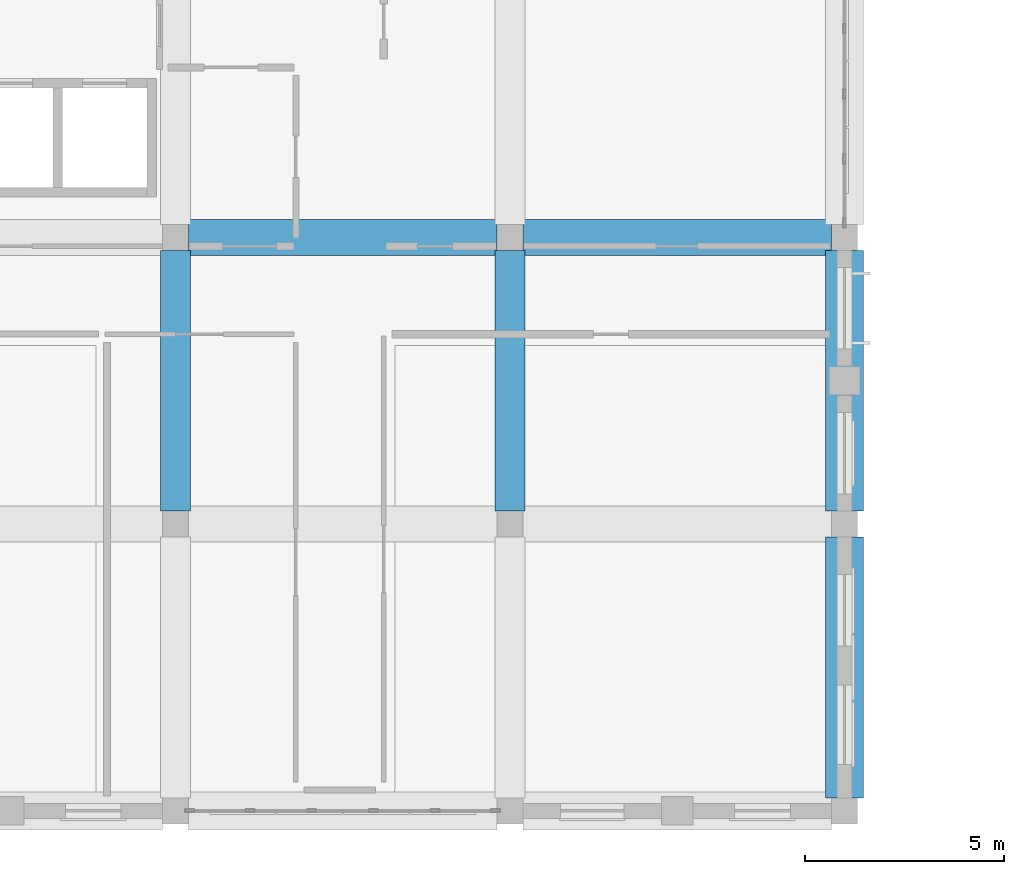
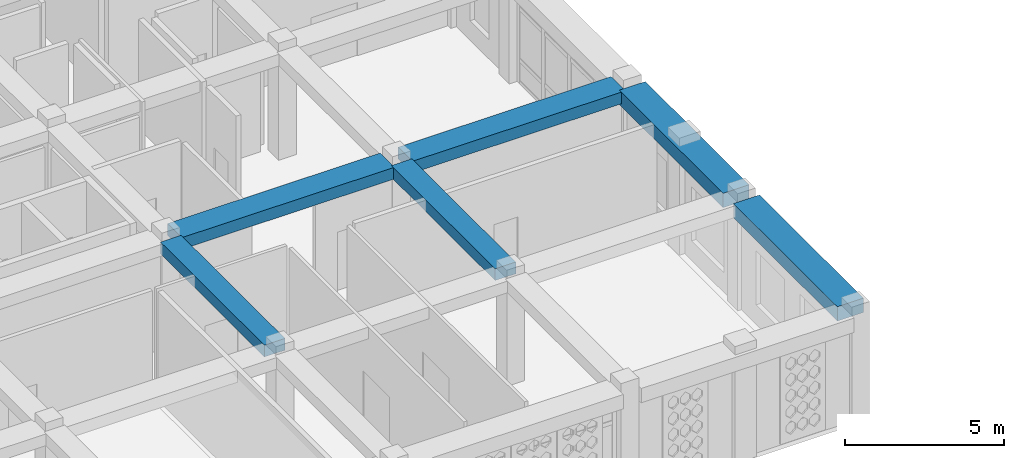
# One storey, part 6 of 79: 6 beams.
"""IFC4 building model written with IfcOpenShell, lengths in metres."""

from ifc_helpers import new_model, si_unit, derived_unit, direction, frame, origin, origin_2d, place, context, subcontext, project, spatial, rectangle, extrude, material, material_profile, profile_set, type_object, element, save


model = new_model("IFC4")

# Units and contexts
model_context = context("Model", 3, precision=1e-05, world=origin(), true_north=direction((0.0, 1.0)))
body_context = subcontext(model_context, "Body", "Model", "MODEL_VIEW")
ifc_project = project(units=[si_unit("LENGTHUNIT", "METRE"), si_unit("AREAUNIT", "SQUARE_METRE"), si_unit("VOLUMEUNIT", "CUBIC_METRE"), si_unit("PLANEANGLEUNIT", "RADIAN"), si_unit("MASSUNIT", "GRAM", prefix="KILO"), derived_unit("THERMALTRANSMITTANCEUNIT", [(si_unit("POWERUNIT", "WATT"), 1), (si_unit("LENGTHUNIT", "METRE"), -2), (si_unit("THERMODYNAMICTEMPERATUREUNIT", "KELVIN"), -1)])], contexts=[model_context])

# Site, building, storey
site_placement = place(None, origin())
site = spatial("IfcSite", under=ifc_project, at=site_placement, CompositionType="ELEMENT")
building_placement = place(site_placement, origin())
building = spatial("IfcBuilding", under=site, at=building_placement, Name="Veybourne Emporium", CompositionType="ELEMENT")
storey_placement = place(building_placement, frame((0.0, 0.0, 18.89990234375)))
storey = spatial("IfcBuildingStorey", under=building, at=storey_placement, Name="L04", CompositionType="ELEMENT", Elevation=18.89990234375)

# Beams
ifc_material = material(Name="Concrete C32/40", Category="concrete")
ifc_material_profile_1 = material_profile(ifc_material, rectangle(XDim=0.89990234375, YDim=0.449951171875, at=origin_2d()), Name="RC 900x450")
ifc_profile_set_1 = profile_set([ifc_material_profile_1], Name="Concrete C32/40")
beam_type_1 = type_object("IfcBeamType", Name="RCBeam_BB-03", PredefinedType="BEAM", material=ifc_profile_set_1)
for number, where, z_axis, x_axis, name in (
    (1, (33.925048828125, 14.39990234375, 3.955078125), (1.0, 0.0, 0.0), (0.0, 1.0, 0.0), "L04 X-grid beam BB-03 (4,2)"),
    (2, (42.324951171875, 14.39990234375, 3.955078125), (1.0, 0.0, 0.0), (0.0, 1.0, 0.0), "L04 X-grid beam BB-03 (5,2)"),
):
    element("IfcBeam", number, at=place(storey_placement, frame(where, z_axis=z_axis, x_axis=x_axis)), inside=storey, type_object=beam_type_1, Name=name, PredefinedType="BEAM", context=body_context, shape_type="SweptSolid", body=[
        extrude(rectangle(XDim=0.89990234375, YDim=0.449951171875, at=origin_2d()), origin(), (0.0, 0.0, 1.0), 7.75),
    ])
ifc_material_profile_2 = material_profile(ifc_material, rectangle(XDim=0.75, YDim=0.449951171875, at=origin_2d()), Name="RC 750x450")
ifc_profile_set_2 = profile_set([ifc_material_profile_2], Name="Concrete C32/40")
beam_type_2 = type_object("IfcBeamType", Name="RCBeam_BB-04", PredefinedType="BEAM", material=ifc_profile_set_2)
for number, where, z_axis, x_axis, name in (
    (3, (33.60009765625, 7.52490234375, 3.955078125), (0.0, 1.0, 0.0), (-1.0, 0.0, 0.0), "L04 Y-grid beam BB-04 (4,1)"),
    (4, (42.0, 7.52490234375, 3.955078125), (0.0, 1.0, 0.0), (-1.0, 0.0, 0.0), "L04 Y-grid beam BB-04 (5,1)"),
):
    element("IfcBeam", number, at=place(storey_placement, frame(where, z_axis=z_axis, x_axis=x_axis)), inside=storey, type_object=beam_type_2, Name=name, PredefinedType="BEAM", context=body_context, shape_type="SweptSolid", body=[
        extrude(rectangle(XDim=0.75, YDim=0.449951171875, at=origin_2d()), origin(), (0.0, 0.0, 1.0), 6.550048828125),
    ])
ifc_material_profile_3 = material_profile(ifc_material, rectangle(XDim=0.949951171875, YDim=0.550048828125, at=origin_2d()), Name="RC 950x550")
ifc_profile_set_3 = profile_set([ifc_material_profile_3], Name="Concrete C32/40")
beam_type_3 = type_object("IfcBeamType", Name="RCBeam_EB-01", PredefinedType="SPANDREL", material=ifc_profile_set_3)
for number, where, z_axis, x_axis, name in (
    (5, (50.39990234375, 0.324951171875, 3.905029296875), (0.0, 1.0, 0.0), (-1.0, 0.0, 0.0), "L04 Y-grid beam EB-01 (6,0)"),
    (6, (50.39990234375, 7.52490234375, 3.905029296875), (0.0, 1.0, 0.0), (-1.0, 0.0, 0.0), "L04 Y-grid beam EB-01 (6,1)"),
):
    element("IfcBeam", number, at=place(storey_placement, frame(where, z_axis=z_axis, x_axis=x_axis)), inside=storey, type_object=beam_type_3, Name=name, PredefinedType="SPANDREL", context=body_context, shape_type="SweptSolid", body=[
        extrude(rectangle(XDim=0.949951171875, YDim=0.550048828125, at=origin_2d()), origin(), (0.0, 0.0, 1.0), 6.550048828125),
    ])

save(model, "model.ifc")
